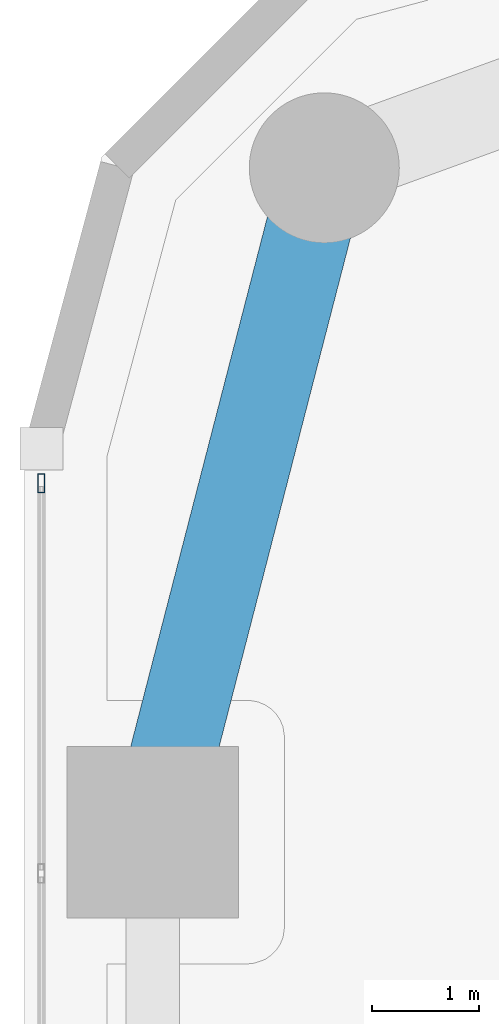
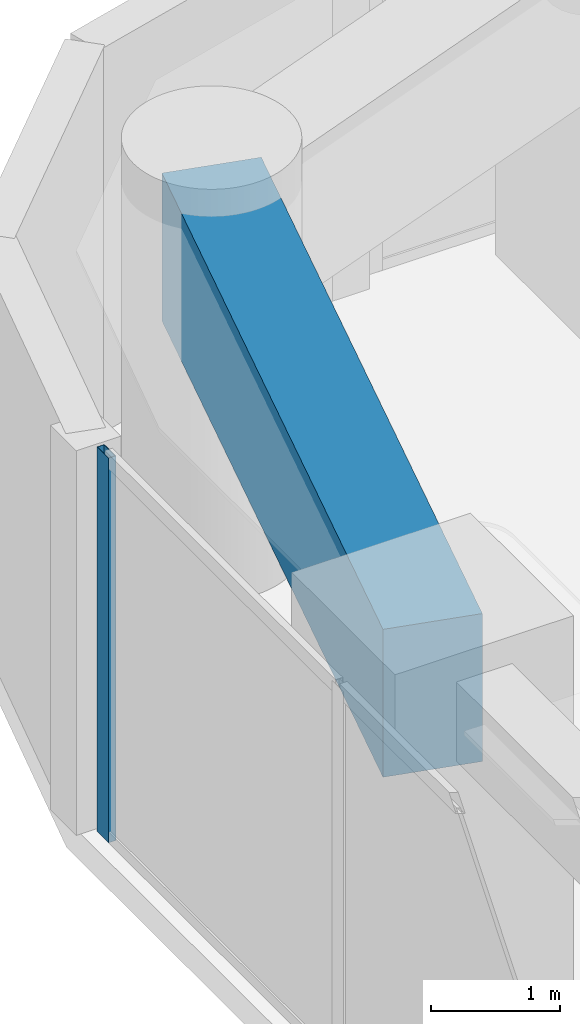
# One storey, part 14 of 28: 1 beam, 1 member, 1 element without a shape of its own.
"""IFC4 building model written with IfcOpenShell, lengths in metres."""

import ifcopenshell
import ifcopenshell.guid

model = None  # the IFC model being written
_history = None  # IfcOwnerHistory: only IFC2X3 demands one
_inside = {}  # id of a spatial element -> (the spatial element, [elements in it])
_under = {}  # id of a project, library or spatial element -> (it, [spatial elements below it])
_declared = {}  # id of a project -> (the project, [libraries it declares])
_typed = {}  # id of a type object -> (the type object, [elements of that type])
_made_of = {}  # id of a material, layer set ... -> (it, [elements and type objects made of it])


def new_model(schema):
    """Start an empty IFC model of exactly this schema.

    Asked for "IFC4X3", IfcOpenShell would pick the latest addendum, in which some entities
    have other attributes; the version numbers below select the first issue.
    IFC2X3 requires an IfcOwnerHistory on every rooted entity: one is made here for all.
    """
    global model, _history
    if schema == "IFC4X3":
        model = ifcopenshell.file(schema_version=(4, 3, 0, 0))
    else:
        model = ifcopenshell.file(schema=schema)
    _inside.clear()
    _under.clear()
    _declared.clear()
    _typed.clear()
    _made_of.clear()
    _history = None
    if model.schema == "IFC2X3":
        org = make("IfcOrganization", Name="unknown")
        user = make(
            "IfcPersonAndOrganization",
            ThePerson=make("IfcPerson", FamilyName="unknown"),
            TheOrganization=org,
        )
        app = make(
            "IfcApplication",
            ApplicationDeveloper=org,
            Version="unknown",
            ApplicationFullName="unknown",
            ApplicationIdentifier="unknown",
        )
        _history = make(
            "IfcOwnerHistory",
            OwningUser=user,
            OwningApplication=app,
            ChangeAction="ADDED",
            CreationDate=0,
        )
    return model


def make(cls, **values):
    """One entity of the class cls with the attributes given. An attribute that is None is left unset."""
    return model.create_entity(
        cls, **{name: value for name, value in values.items() if value is not None}
    )


def rooted(cls, **values):
    """An entity with a GlobalId (a new one), such as an element, a storey or a relation."""
    return make(cls, GlobalId=ifcopenshell.guid.new(), OwnerHistory=_history, **values)


def si_unit(unit_type, name, prefix=None):
    """IfcSIUnit, for example si_unit("LENGTHUNIT", "METRE", prefix="MILLI")."""
    return make("IfcSIUnit", UnitType=unit_type, Prefix=prefix, Name=name)


def assignment(units):
    """IfcUnitAssignment: the units of a project."""
    return None if units is None else make("IfcUnitAssignment", Units=units)


def point(xyz):
    """IfcCartesianPoint."""
    return None if xyz is None else make("IfcCartesianPoint", Coordinates=xyz)


def direction(xyz):
    """IfcDirection."""
    return None if xyz is None else make("IfcDirection", DirectionRatios=xyz)


def frame(location, z_axis=None, x_axis=None):
    """IfcAxis2Placement3D, a coordinate frame: its origin and axes. An axis left out is left unset."""
    return make(
        "IfcAxis2Placement3D",
        Location=point(location),
        Axis=direction(z_axis),
        RefDirection=direction(x_axis),
    )


def frame_2d(location, x_axis=None):
    """IfcAxis2Placement2D, a coordinate frame in the plane: its origin and x axis."""
    return make(
        "IfcAxis2Placement2D", Location=point(location), RefDirection=direction(x_axis)
    )


def origin():
    """The frame at (0, 0, 0) with its axes left unset."""
    return frame((0.0, 0.0, 0.0))


def origin_2d():
    """The frame at (0, 0) in the plane with its x axis left unset."""
    return frame_2d((0.0, 0.0))


def place(relative_to, where):
    """IfcLocalPlacement: puts the frame where relative to a parent placement (None: the world)."""
    return make(
        "IfcLocalPlacement", PlacementRelTo=relative_to, RelativePlacement=where
    )


def context(
    kind, dimensions, precision=None, world=None, true_north=None, identifier=None
):
    """IfcGeometricRepresentationContext, for example the 3D "Model" context."""
    return make(
        "IfcGeometricRepresentationContext",
        ContextIdentifier=identifier,
        ContextType=kind,
        CoordinateSpaceDimension=dimensions,
        Precision=precision,
        WorldCoordinateSystem=world,
        TrueNorth=true_north,
    )


def subcontext(parent, identifier, kind, view, scale=None):
    """IfcGeometricRepresentationSubContext, for example "Body" below "Model"."""
    return make(
        "IfcGeometricRepresentationSubContext",
        ContextIdentifier=identifier,
        ContextType=kind,
        ParentContext=parent,
        TargetScale=scale,
        TargetView=view,
    )


def project(units=None, contexts=None):
    """IfcProject with its units and contexts."""
    return rooted(
        "IfcProject",
        Name="project",
        RepresentationContexts=contexts,
        UnitsInContext=assignment(units),
    )


def spatial(cls, under=None, at=None, **own):
    """A site, building, storey or space (cls), placed at a placement, below another one or the project."""
    s = rooted(cls, ObjectPlacement=at, **own)
    if under is not None:
        _under.setdefault(under.id(), (under, []))[1].append(s)
    return s


def profile(cls, at=None, kind="AREA", **sizes):
    """A parametric profile (cls). Its sizes go by their IFC names, for example OverallWidth=200.0."""
    return make(cls, ProfileType=kind, Position=at, **sizes)


def rectangle(**sizes):
    """IfcRectangleProfileDef."""
    return profile("IfcRectangleProfileDef", **sizes)


def hollow_rectangle(**sizes):
    """IfcRectangleHollowProfileDef."""
    return profile("IfcRectangleHollowProfileDef", **sizes)


def extrude(swept, where, along, depth):
    """IfcExtrudedAreaSolid: the profile swept, set in the frame where, extruded along a direction by depth."""
    return make(
        "IfcExtrudedAreaSolid",
        SweptArea=swept,
        Position=where,
        ExtrudedDirection=direction(along),
        Depth=depth,
    )


def shape(context_of_items, identifier, shape_type, items):
    """IfcShapeRepresentation: the items that make up one representation, for example the "Body"."""
    return make(
        "IfcShapeRepresentation",
        ContextOfItems=context_of_items,
        RepresentationIdentifier=identifier,
        RepresentationType=shape_type,
        Items=items,
    )


def material(Name=None, Category=None):
    """IfcMaterial."""
    return make("IfcMaterial", Name=Name, Category=Category)


def layer(
    of_material, thickness, ventilated=None, Name=None, Category=None, Priority=None
):
    """IfcMaterialLayer: one layer of a wall or slab, of a material (None: an air gap)."""
    return make(
        "IfcMaterialLayer",
        Material=of_material,
        LayerThickness=thickness,
        IsVentilated=ventilated,
        Name=Name,
        Category=Category,
        Priority=Priority,
    )


def layer_set(layers, Name=None):
    """IfcMaterialLayerSet."""
    return make("IfcMaterialLayerSet", MaterialLayers=layers, LayerSetName=Name)


def material_profile(
    of_material, cross_section, Name=None, Category=None, Priority=None
):
    """IfcMaterialProfile: a cross section and its material."""
    return make(
        "IfcMaterialProfile",
        Name=Name,
        Material=of_material,
        Profile=cross_section,
        Priority=Priority,
        Category=Category,
    )


def profile_set(profiles, Name=None, composite=None):
    """IfcMaterialProfileSet."""
    return make(
        "IfcMaterialProfileSet",
        Name=Name,
        MaterialProfiles=profiles,
        CompositeProfile=composite,
    )


def made_of(thing, what):
    """Note that an element or type object is made of a material, layer set ...; save() writes the relation."""
    if what is not None:
        _made_of.setdefault(what.id(), (what, []))[1].append(thing)
    return thing


def type_object(cls, material=None, **own):
    """A type object (cls), such as IfcWallType, which elements share."""
    return made_of(rooted(cls, **own), material)


def element(
    cls,
    number,
    at=None,
    inside=None,
    cuts=None,
    type_object=None,
    material=None,
    context=None,
    identifier="Body",
    shape_type=None,
    held_by="IfcProductDefinitionShape",
    body=None,
    shapes=None,
    **own,
):
    """One element of the class cls, such as IfcWall. Its Tag is "e" and its number.

    at: its placement. inside: the storey or other place that contains it. cuts: it is an
    opening in that element (IfcRelVoidsElement). A single representation is given by context,
    identifier, shape_type and body (its items); several are given by shapes. held_by: the class
    of the entity that holds the representations. save() writes the other relations.
    """
    e = rooted(cls, Tag="e%d" % number, ObjectPlacement=at, **own)
    if body is not None:
        shapes = [shape(context, identifier, shape_type, body)]
    if shapes is not None:
        e.Representation = make(held_by, Representations=shapes)
    if inside is not None:
        _inside.setdefault(inside.id(), (inside, []))[1].append(e)
    if cuts is not None:
        rooted(
            "IfcRelVoidsElement", RelatingBuildingElement=cuts, RelatedOpeningElement=e
        )
    if type_object is not None:
        _typed.setdefault(type_object.id(), (type_object, []))[1].append(e)
    return made_of(e, material)


def aggregate(whole, parts):
    """IfcRelAggregates: a whole, such as a stair, and the parts it consists of."""
    return rooted("IfcRelAggregates", RelatingObject=whole, RelatedObjects=parts)


def save(model, path):
    """Write the relations noted so far, then the file.

    IfcRelAggregates (storeys below a building ...), IfcRelContainedInSpatialStructure (elements
    in a storey), IfcRelDefinesByType, IfcRelAssociatesMaterial and IfcRelDeclares: one each for
    every whole, place, type object, material and project.
    """
    for whole, parts in _under.values():
        aggregate(whole, parts)
    for where, things in _inside.values():
        rooted(
            "IfcRelContainedInSpatialStructure",
            RelatedElements=things,
            RelatingStructure=where,
        )
    for kind, things in _typed.values():
        rooted("IfcRelDefinesByType", RelatedObjects=things, RelatingType=kind)
    for what, things in _made_of.values():
        rooted("IfcRelAssociatesMaterial", RelatedObjects=things, RelatingMaterial=what)
    for by, libraries in _declared.values():
        rooted("IfcRelDeclares", RelatingContext=by, RelatedDefinitions=libraries)
    model.write(path)


model = new_model("IFC4")

# Units and contexts
model_context = context("Model", 3, precision=1e-05, world=origin(), true_north=direction((0.0, 1.0)))
body_context = subcontext(model_context, "Body", "Model", "MODEL_VIEW")
ifc_project = project(units=[si_unit("LENGTHUNIT", "METRE"), si_unit("AREAUNIT", "SQUARE_METRE"), si_unit("VOLUMEUNIT", "CUBIC_METRE"), si_unit("PLANEANGLEUNIT", "RADIAN"), si_unit("MASSUNIT", "GRAM", prefix="KILO")], contexts=[model_context])

# Site, building, storey
site_placement = place(None, origin())
site = spatial("IfcSite", under=ifc_project, at=site_placement, CompositionType="ELEMENT")
building_placement = place(site_placement, origin())
building = spatial("IfcBuilding", under=site, at=building_placement, Name="Kiyonajd Concourse Tower", CompositionType="ELEMENT")
storey_placement = place(building_placement, frame((0.0, 0.0, 56.699951171875)))
storey = spatial("IfcBuildingStorey", under=building, at=storey_placement, Name="L15", CompositionType="ELEMENT", Elevation=56.699951171875)

# Beam
ifc_material_1 = material(Name="Concrete C60/75", Category="concrete")
ifc_material_profile_1 = material_profile(ifc_material_1, rectangle(XDim=0.800048828125, YDim=1.39990234375, at=origin_2d()), Name="RCBM-800x1400")
ifc_profile_set_1 = profile_set([ifc_material_profile_1], Name="Concrete C60/75")
beam_type = type_object("IfcBeamType", Name="BM-XFER-RC", PredefinedType="BEAM", material=ifc_profile_set_1)
beam_placement = place(storey_placement, frame((20.800048828125, 59.60009765625, 2.93994140625), z_axis=(-0.249884937687, -0.968275538221, 0.0), x_axis=(0.968275538221, -0.249884937687, 0.0)))
element("IfcBeam", 1, at=beam_placement, inside=storey, type_object=beam_type, Name="L15 Perimeter Bundled Tube Spandrel", PredefinedType="BEAM", context=body_context, shape_type="SweptSolid", body=[
    extrude(rectangle(XDim=0.800048828125, YDim=1.39990234375, at=origin_2d()), origin(), (0.0, 0.0, 1.0), 6.4033203125),
])

# Curtain wall, member
ifc_material_2 = material(Name="Thermally Broken Anodised Aluminium", Category="aluminium")
ifc_layer = layer(ifc_material_2, 0.179931640625)
ifc_layer_set = layer_set([ifc_layer], Name="Thermally Broken Anodised Aluminium")
curtain_wall_type = type_object("IfcCurtainWallType", Name="CW-SYS-02", PredefinedType="NOTDEFINED", material=ifc_layer_set)
curtain_wall_placement = place(storey_placement, origin())
curtain_wall = element("IfcCurtainWall", 2, at=curtain_wall_placement, inside=storey, type_object=curtain_wall_type, Name="L15 Unitised Curtain Wall CW2", PredefinedType="NOTDEFINED")
ifc_material_profile_2 = material_profile(ifc_material_2, hollow_rectangle(XDim=0.06494140625, YDim=0.179931640625, WallThickness=0.00390625, at=origin_2d()), Name="MULL-65x180")
ifc_profile_set_2 = profile_set([ifc_material_profile_2], Name="Thermally Broken Anodised Aluminium")
member_type = type_object("IfcMemberType", Name="MB-CW-MULL1", PredefinedType="MULLION", material=ifc_profile_set_2)
member_placement = place(storey_placement, frame((18.159912109375, 56.656494140625, 0.0), z_axis=(0.0, 0.0, 1.0), x_axis=(-1.0, 0.0, 0.0)))
member = element("IfcMember", 3, at=member_placement, type_object=member_type, Name="CW2 mullion 7", PredefinedType="MULLION", context=body_context, shape_type="SweptSolid", body=[
    extrude(hollow_rectangle(XDim=0.06494140625, YDim=0.179931640625, WallThickness=0.00390625, at=origin_2d()), origin(), (0.0, 0.0, 1.0), 3.64013671875),
])
aggregate(curtain_wall, [member])

save(model, "model.ifc")
